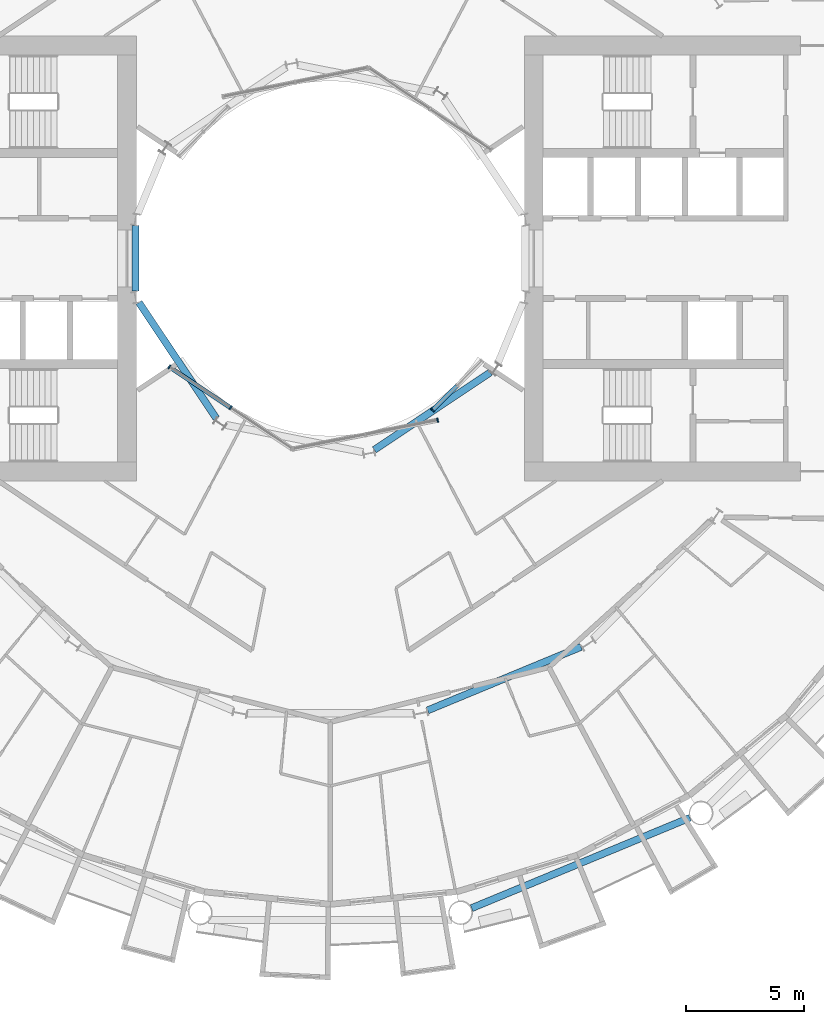
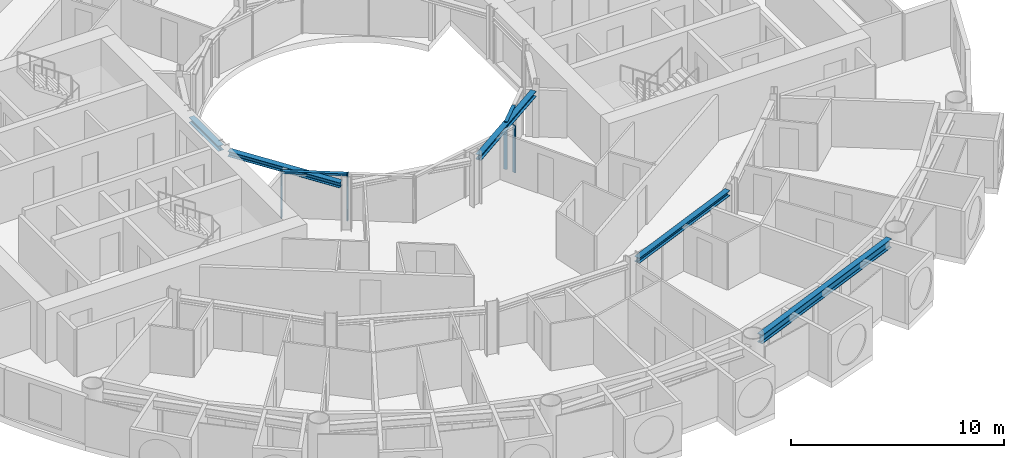
# One storey, part 5 of 26: 6 members, 5 beams, 3 elements without a shape of their own.
"""IFC4 building model written with IfcOpenShell, lengths in metres."""

import ifcopenshell
import ifcopenshell.guid

model = None  # the IFC model being written
_history = None  # IfcOwnerHistory: only IFC2X3 demands one
_inside = {}  # id of a spatial element -> (the spatial element, [elements in it])
_under = {}  # id of a project, library or spatial element -> (it, [spatial elements below it])
_declared = {}  # id of a project -> (the project, [libraries it declares])
_typed = {}  # id of a type object -> (the type object, [elements of that type])
_made_of = {}  # id of a material, layer set ... -> (it, [elements and type objects made of it])


def new_model(schema):
    """Start an empty IFC model of exactly this schema.

    Asked for "IFC4X3", IfcOpenShell would pick the latest addendum, in which some entities
    have other attributes; the version numbers below select the first issue.
    IFC2X3 requires an IfcOwnerHistory on every rooted entity: one is made here for all.
    """
    global model, _history
    if schema == "IFC4X3":
        model = ifcopenshell.file(schema_version=(4, 3, 0, 0))
    else:
        model = ifcopenshell.file(schema=schema)
    _inside.clear()
    _under.clear()
    _declared.clear()
    _typed.clear()
    _made_of.clear()
    _history = None
    if model.schema == "IFC2X3":
        org = make("IfcOrganization", Name="unknown")
        user = make(
            "IfcPersonAndOrganization",
            ThePerson=make("IfcPerson", FamilyName="unknown"),
            TheOrganization=org,
        )
        app = make(
            "IfcApplication",
            ApplicationDeveloper=org,
            Version="unknown",
            ApplicationFullName="unknown",
            ApplicationIdentifier="unknown",
        )
        _history = make(
            "IfcOwnerHistory",
            OwningUser=user,
            OwningApplication=app,
            ChangeAction="ADDED",
            CreationDate=0,
        )
    return model


def make(cls, **values):
    """One entity of the class cls with the attributes given. An attribute that is None is left unset."""
    return model.create_entity(
        cls, **{name: value for name, value in values.items() if value is not None}
    )


def rooted(cls, **values):
    """An entity with a GlobalId (a new one), such as an element, a storey or a relation."""
    return make(cls, GlobalId=ifcopenshell.guid.new(), OwnerHistory=_history, **values)


def si_unit(unit_type, name, prefix=None):
    """IfcSIUnit, for example si_unit("LENGTHUNIT", "METRE", prefix="MILLI")."""
    return make("IfcSIUnit", UnitType=unit_type, Prefix=prefix, Name=name)


def assignment(units):
    """IfcUnitAssignment: the units of a project."""
    return None if units is None else make("IfcUnitAssignment", Units=units)


def point(xyz):
    """IfcCartesianPoint."""
    return None if xyz is None else make("IfcCartesianPoint", Coordinates=xyz)


def direction(xyz):
    """IfcDirection."""
    return None if xyz is None else make("IfcDirection", DirectionRatios=xyz)


def frame(location, z_axis=None, x_axis=None):
    """IfcAxis2Placement3D, a coordinate frame: its origin and axes. An axis left out is left unset."""
    return make(
        "IfcAxis2Placement3D",
        Location=point(location),
        Axis=direction(z_axis),
        RefDirection=direction(x_axis),
    )


def frame_2d(location, x_axis=None):
    """IfcAxis2Placement2D, a coordinate frame in the plane: its origin and x axis."""
    return make(
        "IfcAxis2Placement2D", Location=point(location), RefDirection=direction(x_axis)
    )


def origin():
    """The frame at (0, 0, 0) with its axes left unset."""
    return frame((0.0, 0.0, 0.0))


def origin_2d():
    """The frame at (0, 0) in the plane with its x axis left unset."""
    return frame_2d((0.0, 0.0))


def place(relative_to, where):
    """IfcLocalPlacement: puts the frame where relative to a parent placement (None: the world)."""
    return make(
        "IfcLocalPlacement", PlacementRelTo=relative_to, RelativePlacement=where
    )


def context(
    kind, dimensions, precision=None, world=None, true_north=None, identifier=None
):
    """IfcGeometricRepresentationContext, for example the 3D "Model" context."""
    return make(
        "IfcGeometricRepresentationContext",
        ContextIdentifier=identifier,
        ContextType=kind,
        CoordinateSpaceDimension=dimensions,
        Precision=precision,
        WorldCoordinateSystem=world,
        TrueNorth=true_north,
    )


def subcontext(parent, identifier, kind, view, scale=None):
    """IfcGeometricRepresentationSubContext, for example "Body" below "Model"."""
    return make(
        "IfcGeometricRepresentationSubContext",
        ContextIdentifier=identifier,
        ContextType=kind,
        ParentContext=parent,
        TargetScale=scale,
        TargetView=view,
    )


def project(units=None, contexts=None):
    """IfcProject with its units and contexts."""
    return rooted(
        "IfcProject",
        Name="project",
        RepresentationContexts=contexts,
        UnitsInContext=assignment(units),
    )


def spatial(cls, under=None, at=None, **own):
    """A site, building, storey or space (cls), placed at a placement, below another one or the project."""
    s = rooted(cls, ObjectPlacement=at, **own)
    if under is not None:
        _under.setdefault(under.id(), (under, []))[1].append(s)
    return s


def profile(cls, at=None, kind="AREA", **sizes):
    """A parametric profile (cls). Its sizes go by their IFC names, for example OverallWidth=200.0."""
    return make(cls, ProfileType=kind, Position=at, **sizes)


def rectangle(**sizes):
    """IfcRectangleProfileDef."""
    return profile("IfcRectangleProfileDef", **sizes)


def i_section(**sizes):
    """IfcIShapeProfileDef."""
    return profile("IfcIShapeProfileDef", **sizes)


def extrude(swept, where, along, depth):
    """IfcExtrudedAreaSolid: the profile swept, set in the frame where, extruded along a direction by depth."""
    return make(
        "IfcExtrudedAreaSolid",
        SweptArea=swept,
        Position=where,
        ExtrudedDirection=direction(along),
        Depth=depth,
    )


def shape(context_of_items, identifier, shape_type, items):
    """IfcShapeRepresentation: the items that make up one representation, for example the "Body"."""
    return make(
        "IfcShapeRepresentation",
        ContextOfItems=context_of_items,
        RepresentationIdentifier=identifier,
        RepresentationType=shape_type,
        Items=items,
    )


def material(Name=None, Category=None):
    """IfcMaterial."""
    return make("IfcMaterial", Name=Name, Category=Category)


def layer(
    of_material, thickness, ventilated=None, Name=None, Category=None, Priority=None
):
    """IfcMaterialLayer: one layer of a wall or slab, of a material (None: an air gap)."""
    return make(
        "IfcMaterialLayer",
        Material=of_material,
        LayerThickness=thickness,
        IsVentilated=ventilated,
        Name=Name,
        Category=Category,
        Priority=Priority,
    )


def layer_set(layers, Name=None):
    """IfcMaterialLayerSet."""
    return make("IfcMaterialLayerSet", MaterialLayers=layers, LayerSetName=Name)


def material_profile(
    of_material, cross_section, Name=None, Category=None, Priority=None
):
    """IfcMaterialProfile: a cross section and its material."""
    return make(
        "IfcMaterialProfile",
        Name=Name,
        Material=of_material,
        Profile=cross_section,
        Priority=Priority,
        Category=Category,
    )


def profile_set(profiles, Name=None, composite=None):
    """IfcMaterialProfileSet."""
    return make(
        "IfcMaterialProfileSet",
        Name=Name,
        MaterialProfiles=profiles,
        CompositeProfile=composite,
    )


def made_of(thing, what):
    """Note that an element or type object is made of a material, layer set ...; save() writes the relation."""
    if what is not None:
        _made_of.setdefault(what.id(), (what, []))[1].append(thing)
    return thing


def type_object(cls, material=None, **own):
    """A type object (cls), such as IfcWallType, which elements share."""
    return made_of(rooted(cls, **own), material)


def element(
    cls,
    number,
    at=None,
    inside=None,
    cuts=None,
    type_object=None,
    material=None,
    context=None,
    identifier="Body",
    shape_type=None,
    held_by="IfcProductDefinitionShape",
    body=None,
    shapes=None,
    **own,
):
    """One element of the class cls, such as IfcWall. Its Tag is "e" and its number.

    at: its placement. inside: the storey or other place that contains it. cuts: it is an
    opening in that element (IfcRelVoidsElement). A single representation is given by context,
    identifier, shape_type and body (its items); several are given by shapes. held_by: the class
    of the entity that holds the representations. save() writes the other relations.
    """
    e = rooted(cls, Tag="e%d" % number, ObjectPlacement=at, **own)
    if body is not None:
        shapes = [shape(context, identifier, shape_type, body)]
    if shapes is not None:
        e.Representation = make(held_by, Representations=shapes)
    if inside is not None:
        _inside.setdefault(inside.id(), (inside, []))[1].append(e)
    if cuts is not None:
        rooted(
            "IfcRelVoidsElement", RelatingBuildingElement=cuts, RelatedOpeningElement=e
        )
    if type_object is not None:
        _typed.setdefault(type_object.id(), (type_object, []))[1].append(e)
    return made_of(e, material)


def aggregate(whole, parts):
    """IfcRelAggregates: a whole, such as a stair, and the parts it consists of."""
    return rooted("IfcRelAggregates", RelatingObject=whole, RelatedObjects=parts)


def save(model, path):
    """Write the relations noted so far, then the file.

    IfcRelAggregates (storeys below a building ...), IfcRelContainedInSpatialStructure (elements
    in a storey), IfcRelDefinesByType, IfcRelAssociatesMaterial and IfcRelDeclares: one each for
    every whole, place, type object, material and project.
    """
    for whole, parts in _under.values():
        aggregate(whole, parts)
    for where, things in _inside.values():
        rooted(
            "IfcRelContainedInSpatialStructure",
            RelatedElements=things,
            RelatingStructure=where,
        )
    for kind, things in _typed.values():
        rooted("IfcRelDefinesByType", RelatedObjects=things, RelatingType=kind)
    for what, things in _made_of.values():
        rooted("IfcRelAssociatesMaterial", RelatedObjects=things, RelatingMaterial=what)
    for by, libraries in _declared.values():
        rooted("IfcRelDeclares", RelatingContext=by, RelatedDefinitions=libraries)
    model.write(path)


model = new_model("IFC4")

# Units and contexts
model_context = context("Model", 3, precision=1e-05, world=origin(), true_north=direction((0.0, 1.0)))
body_context = subcontext(model_context, "Body", "Model", "MODEL_VIEW")
ifc_project = project(units=[si_unit("LENGTHUNIT", "METRE"), si_unit("AREAUNIT", "SQUARE_METRE"), si_unit("VOLUMEUNIT", "CUBIC_METRE"), si_unit("PLANEANGLEUNIT", "RADIAN"), si_unit("MASSUNIT", "GRAM", prefix="KILO")], contexts=[model_context])

# Site, building, storey
site_placement = place(None, origin())
site = spatial("IfcSite", under=ifc_project, at=site_placement, CompositionType="ELEMENT")
building_placement = place(site_placement, origin())
building = spatial("IfcBuilding", under=site, at=building_placement, Name="Maasbend Ring Residences", CompositionType="ELEMENT")
storey_placement = place(building_placement, frame((0.0, 0.0, 31.949951171875)))
storey = spatial("IfcBuildingStorey", under=building, at=storey_placement, Name="L08", CompositionType="ELEMENT", Elevation=31.949951171875)

# Curtain wall, members
ifc_material_1 = material(Name="Aluminium and clear glass", Category="aluminium")
ifc_layer = layer(ifc_material_1, 0.179931640625)
ifc_layer_set = layer_set([ifc_layer], Name="CW-W")
curtain_wall_type = type_object("IfcCurtainWallType", Name="CW-W", PredefinedType="NOTDEFINED", material=ifc_layer_set)
curtain_wall_1_placement = place(storey_placement, origin())
curtain_wall_1 = element("IfcCurtainWall", 1, at=curtain_wall_1_placement, inside=storey, type_object=curtain_wall_type, Name="Well curtain wall S1", PredefinedType="NOTDEFINED")
ifc_material_2 = material(Name="Aluminium 6063-T6", Category="aluminium")
ifc_material_profile_1 = material_profile(ifc_material_2, rectangle(XDim=0.179931640625, YDim=0.06005859375, at=origin_2d()), Name="AL 180x60")
ifc_profile_set_1 = profile_set([ifc_material_profile_1], Name="Aluminium 6063-T6")
member_type_1 = type_object("IfcMemberType", Name="CWM-W", PredefinedType="MULLION", material=ifc_profile_set_1)
member_1_placement = place(storey_placement, frame((-6.805908203125, -4.580810546875, 0.0), z_axis=(0.0, 0.0, 1.0), x_axis=(0.55557023302, 0.831469612303, 0.0)))
member_1 = element("IfcMember", 2, at=member_1_placement, type_object=member_type_1, Name="Mullion well face", PredefinedType="MULLION", context=body_context, shape_type="SweptSolid", body=[
    extrude(rectangle(XDim=0.179931640625, YDim=0.06005859375, at=origin_2d()), origin(), (0.0, 0.0, 1.0), 2.699951171875),
])
member_2_placement = place(storey_placement, frame((-4.216796875, -6.310791015625, 0.0), z_axis=(0.0, 0.0, 1.0), x_axis=(0.55557023302, 0.831469612303, 0.0)))
member_2 = element("IfcMember", 3, at=member_2_placement, type_object=member_type_1, Name="Mullion well face", PredefinedType="MULLION", context=body_context, shape_type="SweptSolid", body=[
    extrude(rectangle(XDim=0.179931640625, YDim=0.06005859375, at=origin_2d()), origin(), (0.0, 0.0, 1.0), 2.699951171875),
])

# Curtain wall, member
curtain_wall_2_placement = place(storey_placement, origin())
curtain_wall_2 = element("IfcCurtainWall", 4, at=curtain_wall_2_placement, inside=storey, type_object=curtain_wall_type, Name="Well curtain wall S2", PredefinedType="NOTDEFINED")
member_3_placement = place(storey_placement, frame((4.53466796875, -6.836669921875, 0.0), z_axis=(0.0, 0.0, 1.0), x_axis=(-0.195090322016, 0.980785280403, 0.0)))
member_3 = element("IfcMember", 5, at=member_3_placement, type_object=member_type_1, Name="Mullion well face", PredefinedType="MULLION", context=body_context, shape_type="SweptSolid", body=[
    extrude(rectangle(XDim=0.179931640625, YDim=0.06005859375, at=origin_2d()), origin(), (0.0, 0.0, 1.0), 2.699951171875),
])
aggregate(curtain_wall_2, [member_3])

curtain_wall_3_placement = place(storey_placement, origin())
curtain_wall_3 = element("IfcCurtainWall", 6, at=curtain_wall_3_placement, inside=storey, type_object=curtain_wall_type, Name="Well curtain wall S3", PredefinedType="NOTDEFINED")
member_4_placement = place(storey_placement, frame((4.320556640625, -6.413330078125, 0.0), z_axis=(0.0, 0.0, 1.0), x_axis=(-0.707106781187, 0.707106781187, 0.0)))
member_4 = element("IfcMember", 7, at=member_4_placement, type_object=member_type_1, Name="Mullion well face", PredefinedType="MULLION", context=body_context, shape_type="SweptSolid", body=[
    extrude(rectangle(XDim=0.179931640625, YDim=0.06005859375, at=origin_2d()), origin(), (0.0, 0.0, 1.0), 2.699951171875),
])

# Member
ifc_material_3 = material(Name="Aluminium 6063-T6", Category="aluminium")
ifc_material_profile_2 = material_profile(ifc_material_3, rectangle(XDim=0.179931640625, YDim=0.1201171875, at=origin_2d()), Name="AL 180x120")
ifc_profile_set_2 = profile_set([ifc_material_profile_2], Name="Aluminium 6063-T6")
member_type_2 = type_object("IfcMemberType", Name="CWT-W", PredefinedType="USERDEFINED", material=ifc_profile_set_2)
member_5_placement = place(storey_placement, frame((-6.781005859375, -4.59765625, 2.64013671875), z_axis=(0.831496422459, -0.555530106689, 0.0), x_axis=(0.555530106689, 0.831496422459, 0.0)))
member_5 = element("IfcMember", 8, at=member_5_placement, type_object=member_type_2, Name="Transom well face", ObjectType="TRANSOM", PredefinedType="USERDEFINED", context=body_context, shape_type="SweptSolid", body=[
    extrude(rectangle(XDim=0.179931640625, YDim=0.1201171875, at=origin_2d()), origin(), (0.0, 0.0, 1.0), 3.053955078125),
])

aggregate(curtain_wall_1, [member_1, member_2, member_5])

member_6_placement = place(storey_placement, frame((4.341796875, -6.39208984375, 2.64013671875), z_axis=(0.707106781187, 0.707106781187, 0.0), x_axis=(-0.707106781187, 0.707106781187, 0.0)))
member_6 = element("IfcMember", 9, at=member_6_placement, type_object=member_type_2, Name="Transom well face", ObjectType="TRANSOM", PredefinedType="USERDEFINED", context=body_context, shape_type="SweptSolid", body=[
    extrude(rectangle(XDim=0.179931640625, YDim=0.1201171875, at=origin_2d()), origin(), (0.0, 0.0, 1.0), 1.419677734375),
])

aggregate(curtain_wall_3, [member_4, member_6])

# Beams
ifc_material_4 = material(Name="Steel S355J2", Category="steel")
ifc_material_profile_3 = material_profile(ifc_material_4, i_section(OverallWidth=0.300048828125, OverallDepth=0.300048828125, WebThickness=0.010986328125, FlangeThickness=0.01904296875, FilletRadius=0.027099609375, at=origin_2d()), Name="HEB 300")
ifc_profile_set_3 = profile_set([ifc_material_profile_3], Name="Steel S355J2")
beam_type_1 = type_object("IfcBeamType", Name="Corridor ring beam HEB 300", PredefinedType="BEAM", material=ifc_profile_set_3)
beam_1_placement = place(storey_placement, frame((4.11572265625, -19.102294921875, 2.550048828125), z_axis=(0.923886196809, 0.38266734293, 0.0), x_axis=(-0.38266734293, 0.923886196809, 0.0)))
element("IfcBeam", 10, at=beam_1_placement, inside=storey, type_object=beam_type_1, Name="Corridor ring beam", PredefinedType="BEAM", context=body_context, shape_type="SweptSolid", body=[
    extrude(i_section(OverallWidth=0.300048828125, OverallDepth=0.300048828125, WebThickness=0.010986328125, FlangeThickness=0.01904296875, FilletRadius=0.027099609375, at=origin_2d()), origin(), (0.0, 0.0, 1.0), 7.015380859375),
])
ifc_material_5 = material(Name="Steel S355J2", Category="steel")
ifc_material_profile_4 = material_profile(ifc_material_5, i_section(OverallWidth=0.300048828125, OverallDepth=0.5, WebThickness=0.014404296875, FlangeThickness=0.028076171875, FilletRadius=0.027099609375, at=origin_2d()), Name="HEB 500")
ifc_profile_set_4 = profile_set([ifc_material_profile_4], Name="Steel S355J2")
beam_type_2 = type_object("IfcBeamType", Name="Spandrel ring beam HEB 500", PredefinedType="SPANDREL", material=ifc_profile_set_4)
beam_2_placement = place(storey_placement, frame((5.970703125, -27.463623046875, 2.449951171875), z_axis=(0.923886337442, 0.382667003395, 0.0), x_axis=(-0.382667003395, 0.923886337442, 0.0)))
element("IfcBeam", 11, at=beam_2_placement, inside=storey, type_object=beam_type_2, Name="Spandrel ring beam", PredefinedType="SPANDREL", context=body_context, shape_type="SweptSolid", body=[
    extrude(i_section(OverallWidth=0.300048828125, OverallDepth=0.5, WebThickness=0.014404296875, FlangeThickness=0.028076171875, FilletRadius=0.027099609375, at=origin_2d()), origin(), (0.0, 0.0, 1.0), 9.9873046875),
])
ifc_material_6 = material(Name="Steel S355J2", Category="steel")
ifc_material_profile_5 = material_profile(ifc_material_6, i_section(OverallWidth=0.300048828125, OverallDepth=0.300048828125, WebThickness=0.010986328125, FlangeThickness=0.01904296875, FilletRadius=0.027099609375, at=origin_2d()), Name="HEB 300")
ifc_profile_set_5 = profile_set([ifc_material_profile_5], Name="Steel S355J2")
beam_type_3 = type_object("IfcBeamType", Name="Well edge beam HEB 300", PredefinedType="BEAM", material=ifc_profile_set_5)
beam_3_placement = place(storey_placement, frame((-8.238525390625, 1.3837890625, 2.550048828125), z_axis=(0.0, -1.0, 0.0), x_axis=(1.0, 0.0, 0.0)))
element("IfcBeam", 12, at=beam_3_placement, inside=storey, type_object=beam_type_3, Name="Well edge beam", PredefinedType="BEAM", context=body_context, shape_type="SweptSolid", body=[
    extrude(i_section(OverallWidth=0.300048828125, OverallDepth=0.300048828125, WebThickness=0.010986328125, FlangeThickness=0.01904296875, FilletRadius=0.027099609375, at=origin_2d()), origin(), (0.0, 0.0, 1.0), 2.767578125),
])
for number, where, z_axis, x_axis, name in (
    (13, (-8.08837890625, -1.86376953125, 2.550048828125), (0.555589782054, -0.831456549723, 0.0), (0.831456549723, 0.555589782054, 0.0), "Well edge beam"),
    (14, (1.86376953125, -8.08837890625, 2.550048828125), (0.831456549723, 0.555589782054, 0.0), (-0.555589782054, 0.831456549723, 0.0), "Well edge beam"),
):
    element("IfcBeam", number, at=place(storey_placement, frame(where, z_axis=z_axis, x_axis=x_axis)), inside=storey, type_object=beam_type_3, Name=name, PredefinedType="BEAM", context=body_context, shape_type="SweptSolid", body=[
        extrude(i_section(OverallWidth=0.300048828125, OverallDepth=0.300048828125, WebThickness=0.010986328125, FlangeThickness=0.01904296875, FilletRadius=0.027099609375, at=origin_2d()), origin(), (0.0, 0.0, 1.0), 5.887939453125),
    ])

save(model, "model.ifc")
